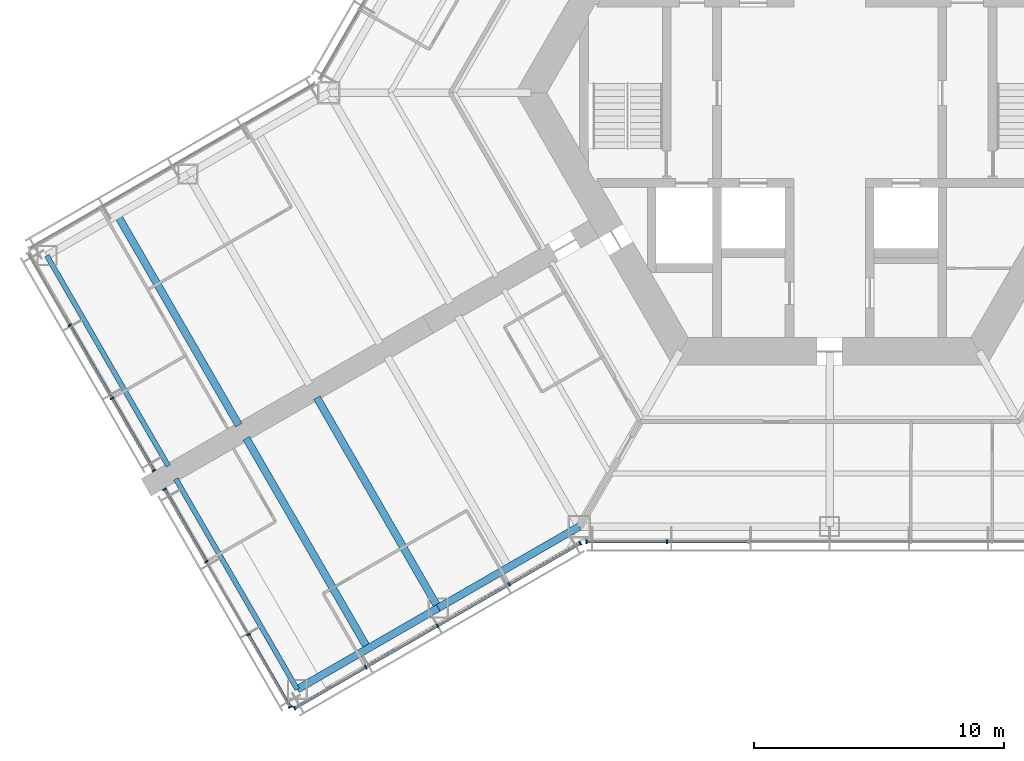
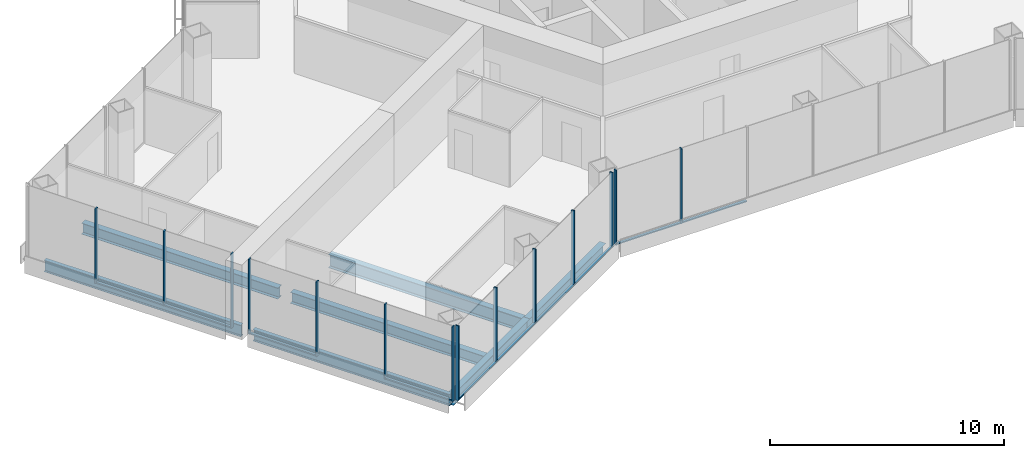
# One storey, part 2 of 18: 24 members, 7 beams, 4 elements without a shape of their own.
"""IFC4 building model written with IfcOpenShell, lengths in metres."""

import ifcopenshell
import ifcopenshell.guid

model = None  # the IFC model being written
_history = None  # IfcOwnerHistory: only IFC2X3 demands one
_inside = {}  # id of a spatial element -> (the spatial element, [elements in it])
_under = {}  # id of a project, library or spatial element -> (it, [spatial elements below it])
_declared = {}  # id of a project -> (the project, [libraries it declares])
_typed = {}  # id of a type object -> (the type object, [elements of that type])
_made_of = {}  # id of a material, layer set ... -> (it, [elements and type objects made of it])


def new_model(schema):
    """Start an empty IFC model of exactly this schema.

    Asked for "IFC4X3", IfcOpenShell would pick the latest addendum, in which some entities
    have other attributes; the version numbers below select the first issue.
    IFC2X3 requires an IfcOwnerHistory on every rooted entity: one is made here for all.
    """
    global model, _history
    if schema == "IFC4X3":
        model = ifcopenshell.file(schema_version=(4, 3, 0, 0))
    else:
        model = ifcopenshell.file(schema=schema)
    _inside.clear()
    _under.clear()
    _declared.clear()
    _typed.clear()
    _made_of.clear()
    _history = None
    if model.schema == "IFC2X3":
        org = make("IfcOrganization", Name="unknown")
        user = make(
            "IfcPersonAndOrganization",
            ThePerson=make("IfcPerson", FamilyName="unknown"),
            TheOrganization=org,
        )
        app = make(
            "IfcApplication",
            ApplicationDeveloper=org,
            Version="unknown",
            ApplicationFullName="unknown",
            ApplicationIdentifier="unknown",
        )
        _history = make(
            "IfcOwnerHistory",
            OwningUser=user,
            OwningApplication=app,
            ChangeAction="ADDED",
            CreationDate=0,
        )
    return model


def make(cls, **values):
    """One entity of the class cls with the attributes given. An attribute that is None is left unset."""
    return model.create_entity(
        cls, **{name: value for name, value in values.items() if value is not None}
    )


def rooted(cls, **values):
    """An entity with a GlobalId (a new one), such as an element, a storey or a relation."""
    return make(cls, GlobalId=ifcopenshell.guid.new(), OwnerHistory=_history, **values)


def si_unit(unit_type, name, prefix=None):
    """IfcSIUnit, for example si_unit("LENGTHUNIT", "METRE", prefix="MILLI")."""
    return make("IfcSIUnit", UnitType=unit_type, Prefix=prefix, Name=name)


def assignment(units):
    """IfcUnitAssignment: the units of a project."""
    return None if units is None else make("IfcUnitAssignment", Units=units)


def point(xyz):
    """IfcCartesianPoint."""
    return None if xyz is None else make("IfcCartesianPoint", Coordinates=xyz)


def direction(xyz):
    """IfcDirection."""
    return None if xyz is None else make("IfcDirection", DirectionRatios=xyz)


def frame(location, z_axis=None, x_axis=None):
    """IfcAxis2Placement3D, a coordinate frame: its origin and axes. An axis left out is left unset."""
    return make(
        "IfcAxis2Placement3D",
        Location=point(location),
        Axis=direction(z_axis),
        RefDirection=direction(x_axis),
    )


def frame_2d(location, x_axis=None):
    """IfcAxis2Placement2D, a coordinate frame in the plane: its origin and x axis."""
    return make(
        "IfcAxis2Placement2D", Location=point(location), RefDirection=direction(x_axis)
    )


def origin():
    """The frame at (0, 0, 0) with its axes left unset."""
    return frame((0.0, 0.0, 0.0))


def origin_2d():
    """The frame at (0, 0) in the plane with its x axis left unset."""
    return frame_2d((0.0, 0.0))


def place(relative_to, where):
    """IfcLocalPlacement: puts the frame where relative to a parent placement (None: the world)."""
    return make(
        "IfcLocalPlacement", PlacementRelTo=relative_to, RelativePlacement=where
    )


def context(
    kind, dimensions, precision=None, world=None, true_north=None, identifier=None
):
    """IfcGeometricRepresentationContext, for example the 3D "Model" context."""
    return make(
        "IfcGeometricRepresentationContext",
        ContextIdentifier=identifier,
        ContextType=kind,
        CoordinateSpaceDimension=dimensions,
        Precision=precision,
        WorldCoordinateSystem=world,
        TrueNorth=true_north,
    )


def subcontext(parent, identifier, kind, view, scale=None):
    """IfcGeometricRepresentationSubContext, for example "Body" below "Model"."""
    return make(
        "IfcGeometricRepresentationSubContext",
        ContextIdentifier=identifier,
        ContextType=kind,
        ParentContext=parent,
        TargetScale=scale,
        TargetView=view,
    )


def project(units=None, contexts=None):
    """IfcProject with its units and contexts."""
    return rooted(
        "IfcProject",
        Name="project",
        RepresentationContexts=contexts,
        UnitsInContext=assignment(units),
    )


def spatial(cls, under=None, at=None, **own):
    """A site, building, storey or space (cls), placed at a placement, below another one or the project."""
    s = rooted(cls, ObjectPlacement=at, **own)
    if under is not None:
        _under.setdefault(under.id(), (under, []))[1].append(s)
    return s


def profile(cls, at=None, kind="AREA", **sizes):
    """A parametric profile (cls). Its sizes go by their IFC names, for example OverallWidth=200.0."""
    return make(cls, ProfileType=kind, Position=at, **sizes)


def rectangle(**sizes):
    """IfcRectangleProfileDef."""
    return profile("IfcRectangleProfileDef", **sizes)


def i_section(**sizes):
    """IfcIShapeProfileDef."""
    return profile("IfcIShapeProfileDef", **sizes)


def extrude(swept, where, along, depth):
    """IfcExtrudedAreaSolid: the profile swept, set in the frame where, extruded along a direction by depth."""
    return make(
        "IfcExtrudedAreaSolid",
        SweptArea=swept,
        Position=where,
        ExtrudedDirection=direction(along),
        Depth=depth,
    )


def shape(context_of_items, identifier, shape_type, items):
    """IfcShapeRepresentation: the items that make up one representation, for example the "Body"."""
    return make(
        "IfcShapeRepresentation",
        ContextOfItems=context_of_items,
        RepresentationIdentifier=identifier,
        RepresentationType=shape_type,
        Items=items,
    )


def material(Name=None, Category=None):
    """IfcMaterial."""
    return make("IfcMaterial", Name=Name, Category=Category)


def material_profile(
    of_material, cross_section, Name=None, Category=None, Priority=None
):
    """IfcMaterialProfile: a cross section and its material."""
    return make(
        "IfcMaterialProfile",
        Name=Name,
        Material=of_material,
        Profile=cross_section,
        Priority=Priority,
        Category=Category,
    )


def profile_set(profiles, Name=None, composite=None):
    """IfcMaterialProfileSet."""
    return make(
        "IfcMaterialProfileSet",
        Name=Name,
        MaterialProfiles=profiles,
        CompositeProfile=composite,
    )


def made_of(thing, what):
    """Note that an element or type object is made of a material, layer set ...; save() writes the relation."""
    if what is not None:
        _made_of.setdefault(what.id(), (what, []))[1].append(thing)
    return thing


def type_object(cls, material=None, **own):
    """A type object (cls), such as IfcWallType, which elements share."""
    return made_of(rooted(cls, **own), material)


def element(
    cls,
    number,
    at=None,
    inside=None,
    cuts=None,
    type_object=None,
    material=None,
    context=None,
    identifier="Body",
    shape_type=None,
    held_by="IfcProductDefinitionShape",
    body=None,
    shapes=None,
    **own,
):
    """One element of the class cls, such as IfcWall. Its Tag is "e" and its number.

    at: its placement. inside: the storey or other place that contains it. cuts: it is an
    opening in that element (IfcRelVoidsElement). A single representation is given by context,
    identifier, shape_type and body (its items); several are given by shapes. held_by: the class
    of the entity that holds the representations. save() writes the other relations.
    """
    e = rooted(cls, Tag="e%d" % number, ObjectPlacement=at, **own)
    if body is not None:
        shapes = [shape(context, identifier, shape_type, body)]
    if shapes is not None:
        e.Representation = make(held_by, Representations=shapes)
    if inside is not None:
        _inside.setdefault(inside.id(), (inside, []))[1].append(e)
    if cuts is not None:
        rooted(
            "IfcRelVoidsElement", RelatingBuildingElement=cuts, RelatedOpeningElement=e
        )
    if type_object is not None:
        _typed.setdefault(type_object.id(), (type_object, []))[1].append(e)
    return made_of(e, material)


def aggregate(whole, parts):
    """IfcRelAggregates: a whole, such as a stair, and the parts it consists of."""
    return rooted("IfcRelAggregates", RelatingObject=whole, RelatedObjects=parts)


def save(model, path):
    """Write the relations noted so far, then the file.

    IfcRelAggregates (storeys below a building ...), IfcRelContainedInSpatialStructure (elements
    in a storey), IfcRelDefinesByType, IfcRelAssociatesMaterial and IfcRelDeclares: one each for
    every whole, place, type object, material and project.
    """
    for whole, parts in _under.values():
        aggregate(whole, parts)
    for where, things in _inside.values():
        rooted(
            "IfcRelContainedInSpatialStructure",
            RelatedElements=things,
            RelatingStructure=where,
        )
    for kind, things in _typed.values():
        rooted("IfcRelDefinesByType", RelatedObjects=things, RelatingType=kind)
    for what, things in _made_of.values():
        rooted("IfcRelAssociatesMaterial", RelatedObjects=things, RelatingMaterial=what)
    for by, libraries in _declared.values():
        rooted("IfcRelDeclares", RelatingContext=by, RelatedDefinitions=libraries)
    model.write(path)


model = new_model("IFC4")

# Units and contexts
model_context = context("Model", 3, precision=1e-05, world=origin(), true_north=direction((0.0, 1.0)))
body_context = subcontext(model_context, "Body", "Model", "MODEL_VIEW")
ifc_project = project(units=[si_unit("LENGTHUNIT", "METRE"), si_unit("AREAUNIT", "SQUARE_METRE"), si_unit("VOLUMEUNIT", "CUBIC_METRE"), si_unit("PLANEANGLEUNIT", "RADIAN"), si_unit("MASSUNIT", "GRAM", prefix="KILO")], contexts=[model_context])

# Site, building, storey
site_placement = place(None, origin())
site = spatial("IfcSite", under=ifc_project, at=site_placement, CompositionType="ELEMENT")
building_placement = place(site_placement, origin())
building = spatial("IfcBuilding", under=site, at=building_placement, Name="Kasaneha Research Tower", CompositionType="ELEMENT")
storey_placement = place(building_placement, frame((0.0, 0.0, 108.0)))
storey = spatial("IfcBuildingStorey", under=building, at=storey_placement, Name="L27", CompositionType="ELEMENT", Elevation=108.0)

# Beams
ifc_material_1 = material(Name="Steel SN490B", Category="steel")
ifc_material_profile_1 = material_profile(ifc_material_1, i_section(OverallWidth=0.300048828125, OverallDepth=0.58203125, WebThickness=0.011962890625, FlangeThickness=0.01708984375, FilletRadius=0.012939453125, at=origin_2d()), Name="H-582x300x12x17")
ifc_profile_set_1 = profile_set([ifc_material_profile_1], Name="Steel SN490B")
beam_type_1 = type_object("IfcBeamType", Name="B2-3 secondary beam H-582x300x12x17", PredefinedType="JOIST", material=ifc_profile_set_1)
for number, where, z_axis, x_axis, name in (
    (1, (-28.44384765625, -4.875, -0.44091796875), (0.500010041276, -0.866019606374, 0.0), (0.866019606374, 0.500010041276, 0.0), "Secondary beam WBBP2 L27"),
    (2, (-18.44384765625, -22.195556640625, -0.44091796875), (-0.499991164321, 0.866030505006, 0.0), (-0.866030505006, -0.499991164321, 0.0), "Secondary beam WBBN2 L27"),
):
    element("IfcBeam", number, at=place(storey_placement, frame(where, z_axis=z_axis, x_axis=x_axis)), inside=storey, type_object=beam_type_1, Name=name, PredefinedType="JOIST", context=body_context, shape_type="SweptSolid", body=[
        extrude(i_section(OverallWidth=0.300048828125, OverallDepth=0.58203125, WebThickness=0.011962890625, FlangeThickness=0.01708984375, FilletRadius=0.012939453125, at=origin_2d()), origin(), (0.0, 0.0, 1.0), 9.699951171875),
    ])

# Curtain wall, members
ifc_material_2 = material(Name="Glass and aluminium", Category="aluminium")
curtain_wall_type = type_object("IfcCurtainWallType", Name="Low-rise office curtain wall", PredefinedType="USERDEFINED", material=ifc_material_2)
curtain_wall_1_placement = place(storey_placement, origin())
curtain_wall_1 = element("IfcCurtainWall", 3, at=curtain_wall_1_placement, inside=storey, type_object=curtain_wall_type, Name="CW-O1 L27 run 01a", ObjectType="UNITISED CURTAIN WALL", PredefinedType="USERDEFINED")
ifc_material_3 = material(Name="Aluminium 6063-T6", Category="aluminium")
ifc_material_profile_2 = material_profile(ifc_material_3, rectangle(XDim=0.06005859375, YDim=0.159912109375, at=origin_2d()), Name="CW-O1 mullion 60x160")
ifc_profile_set_2 = profile_set([ifc_material_profile_2], Name="Aluminium 6063-T6")
member_type_1 = type_object("IfcMemberType", Name="CW-O1 mullion", PredefinedType="MULLION", material=ifc_profile_set_2)
member_1_placement = place(storey_placement, frame((-21.365478515625, -24.5751953125, 0.0), z_axis=(0.0, 0.0, 1.0), x_axis=(0.866025411464, 0.499999986699, 0.0)))
member_1 = element("IfcMember", 4, at=member_1_placement, type_object=member_type_1, Name="CW-O1 mullion 1", PredefinedType="MULLION", context=body_context, shape_type="SweptSolid", body=[
    extrude(rectangle(XDim=0.06005859375, YDim=0.159912109375, at=origin_2d()), origin(), (0.0, 0.0, 1.0), 3.89990234375),
])
member_2_placement = place(storey_placement, frame((-18.52490234375, -22.935302734375, 0.0), z_axis=(0.0, 0.0, 1.0), x_axis=(0.866025411464, 0.499999986699, 0.0)))
member_2 = element("IfcMember", 5, at=member_2_placement, type_object=member_type_1, Name="CW-O1 mullion 2", PredefinedType="MULLION", context=body_context, shape_type="SweptSolid", body=[
    extrude(rectangle(XDim=0.06005859375, YDim=0.159912109375, at=origin_2d()), origin(), (0.0, 0.0, 1.0), 3.89990234375),
])
member_3_placement = place(storey_placement, frame((-15.65869140625, -21.2802734375, 0.0), z_axis=(0.0, 0.0, 1.0), x_axis=(0.866025411464, 0.499999986699, 0.0)))
member_3 = element("IfcMember", 6, at=member_3_placement, type_object=member_type_1, Name="CW-O1 mullion 3", PredefinedType="MULLION", context=body_context, shape_type="SweptSolid", body=[
    extrude(rectangle(XDim=0.06005859375, YDim=0.159912109375, at=origin_2d()), origin(), (0.0, 0.0, 1.0), 3.89990234375),
])
member_4_placement = place(storey_placement, frame((-12.792236328125, -19.62548828125, 0.0), z_axis=(0.0, 0.0, 1.0), x_axis=(0.866025411464, 0.499999986699, 0.0)))
member_4 = element("IfcMember", 7, at=member_4_placement, type_object=member_type_1, Name="CW-O1 mullion 4", PredefinedType="MULLION", context=body_context, shape_type="SweptSolid", body=[
    extrude(rectangle(XDim=0.06005859375, YDim=0.159912109375, at=origin_2d()), origin(), (0.0, 0.0, 1.0), 3.89990234375),
])
member_5_placement = place(storey_placement, frame((-9.951904296875, -17.985595703125, 0.0), z_axis=(0.0, 0.0, 1.0), x_axis=(0.866025411464, 0.499999986699, 0.0)))
member_5 = element("IfcMember", 8, at=member_5_placement, type_object=member_type_1, Name="CW-O1 mullion 5", PredefinedType="MULLION", context=body_context, shape_type="SweptSolid", body=[
    extrude(rectangle(XDim=0.06005859375, YDim=0.159912109375, at=origin_2d()), origin(), (0.0, 0.0, 1.0), 3.89990234375),
])

curtain_wall_2_placement = place(storey_placement, origin())
curtain_wall_2 = element("IfcCurtainWall", 9, at=curtain_wall_2_placement, inside=storey, type_object=curtain_wall_type, Name="CW-O1 L27 run 02a", ObjectType="UNITISED CURTAIN WALL", PredefinedType="USERDEFINED")
member_6_placement = place(storey_placement, frame((-9.709228515625, -17.92041015625, 0.0), z_axis=(0.0, 0.0, 1.0), x_axis=(1.0, 0.0, 0.0)))
member_6 = element("IfcMember", 10, at=member_6_placement, type_object=member_type_1, Name="CW-O1 mullion 1", PredefinedType="MULLION", context=body_context, shape_type="SweptSolid", body=[
    extrude(rectangle(XDim=0.06005859375, YDim=0.159912109375, at=origin_2d()), origin(), (0.0, 0.0, 1.0), 3.89990234375),
])
member_7_placement = place(storey_placement, frame((-6.492919921875, -17.92041015625, 0.0), z_axis=(0.0, 0.0, 1.0), x_axis=(1.0, 0.0, 0.0)))
member_7 = element("IfcMember", 11, at=member_7_placement, type_object=member_type_1, Name="CW-O1 mullion 2", PredefinedType="MULLION", context=body_context, shape_type="SweptSolid", body=[
    extrude(rectangle(XDim=0.06005859375, YDim=0.159912109375, at=origin_2d()), origin(), (0.0, 0.0, 1.0), 3.89990234375),
])

curtain_wall_3_placement = place(storey_placement, origin())
curtain_wall_3 = element("IfcCurtainWall", 12, at=curtain_wall_3_placement, inside=storey, type_object=curtain_wall_type, Name="CW-O1 L27 run 14a", ObjectType="UNITISED CURTAIN WALL", PredefinedType="USERDEFINED")
member_8_placement = place(storey_placement, frame((-30.3447265625, -9.28271484375, 0.0), z_axis=(0.0, 0.0, 1.0), x_axis=(0.500000011442, -0.866025397178, 0.0)))
member_8 = element("IfcMember", 13, at=member_8_placement, type_object=member_type_1, Name="CW-O1 mullion 2", PredefinedType="MULLION", context=body_context, shape_type="SweptSolid", body=[
    extrude(rectangle(XDim=0.06005859375, YDim=0.159912109375, at=origin_2d()), origin(), (0.0, 0.0, 1.0), 3.89990234375),
])
member_9_placement = place(storey_placement, frame((-28.661376953125, -12.1982421875, 0.0), z_axis=(0.0, 0.0, 1.0), x_axis=(0.500000011442, -0.866025397178, 0.0)))
member_9 = element("IfcMember", 14, at=member_9_placement, type_object=member_type_1, Name="CW-O1 mullion 3", PredefinedType="MULLION", context=body_context, shape_type="SweptSolid", body=[
    extrude(rectangle(XDim=0.06005859375, YDim=0.159912109375, at=origin_2d()), origin(), (0.0, 0.0, 1.0), 3.89990234375),
])
member_10_placement = place(storey_placement, frame((-26.992919921875, -15.087890625, 0.0), z_axis=(0.0, 0.0, 1.0), x_axis=(0.500000011442, -0.866025397178, 0.0)))
member_10 = element("IfcMember", 15, at=member_10_placement, type_object=member_type_1, Name="CW-O1 mullion 4", PredefinedType="MULLION", context=body_context, shape_type="SweptSolid", body=[
    extrude(rectangle(XDim=0.06005859375, YDim=0.159912109375, at=origin_2d()), origin(), (0.0, 0.0, 1.0), 3.89990234375),
])

curtain_wall_4_placement = place(storey_placement, origin())
curtain_wall_4 = element("IfcCurtainWall", 16, at=curtain_wall_4_placement, inside=storey, type_object=curtain_wall_type, Name="CW-O1 L27 run 15a", ObjectType="UNITISED CURTAIN WALL", PredefinedType="USERDEFINED")
member_11_placement = place(storey_placement, frame((-26.56298828125, -15.832763671875, 0.0), z_axis=(0.0, 0.0, 1.0), x_axis=(0.500000011442, -0.866025397178, 0.0)))
member_11 = element("IfcMember", 17, at=member_11_placement, type_object=member_type_1, Name="CW-O1 mullion 1", PredefinedType="MULLION", context=body_context, shape_type="SweptSolid", body=[
    extrude(rectangle(XDim=0.06005859375, YDim=0.159912109375, at=origin_2d()), origin(), (0.0, 0.0, 1.0), 3.89990234375),
])
member_12_placement = place(storey_placement, frame((-24.89453125, -18.72216796875, 0.0), z_axis=(0.0, 0.0, 1.0), x_axis=(0.500000011442, -0.866025397178, 0.0)))
member_12 = element("IfcMember", 18, at=member_12_placement, type_object=member_type_1, Name="CW-O1 mullion 2", PredefinedType="MULLION", context=body_context, shape_type="SweptSolid", body=[
    extrude(rectangle(XDim=0.06005859375, YDim=0.159912109375, at=origin_2d()), origin(), (0.0, 0.0, 1.0), 3.89990234375),
])
member_13_placement = place(storey_placement, frame((-23.211181640625, -21.637939453125, 0.0), z_axis=(0.0, 0.0, 1.0), x_axis=(0.500000011442, -0.866025397178, 0.0)))
member_13 = element("IfcMember", 19, at=member_13_placement, type_object=member_type_1, Name="CW-O1 mullion 3", PredefinedType="MULLION", context=body_context, shape_type="SweptSolid", body=[
    extrude(rectangle(XDim=0.06005859375, YDim=0.159912109375, at=origin_2d()), origin(), (0.0, 0.0, 1.0), 3.89990234375),
])
member_14_placement = place(storey_placement, frame((-21.54296875, -24.527587890625, 0.0), z_axis=(0.0, 0.0, 1.0), x_axis=(0.500000011442, -0.866025397178, 0.0)))
member_14 = element("IfcMember", 20, at=member_14_placement, type_object=member_type_1, Name="CW-O1 mullion 4", PredefinedType="MULLION", context=body_context, shape_type="SweptSolid", body=[
    extrude(rectangle(XDim=0.06005859375, YDim=0.159912109375, at=origin_2d()), origin(), (0.0, 0.0, 1.0), 3.89990234375),
])

# Member
ifc_material_4 = material(Name="Aluminium 6063-T6", Category="aluminium")
ifc_material_profile_3 = material_profile(ifc_material_4, rectangle(XDim=0.1201171875, YDim=0.06005859375, at=origin_2d()), Name="CW-O1 transom 120x60")
ifc_profile_set_3 = profile_set([ifc_material_profile_3], Name="Aluminium 6063-T6")
member_type_2 = type_object("IfcMemberType", Name="CW-O1 transom", PredefinedType="USERDEFINED", material=ifc_profile_set_3)
member_15_placement = place(storey_placement, frame((-21.33935546875, -24.56005859375, 0.030029296875), z_axis=(0.866022692473, 0.500004696101, 0.0), x_axis=(-0.500004696101, 0.866022692473, 0.0)))
member_15 = element("IfcMember", 21, at=member_15_placement, type_object=member_type_2, Name="CW-O1 transom 1", ObjectType="TRANSOM", PredefinedType="USERDEFINED", context=body_context, shape_type="SweptSolid", body=[
    extrude(rectangle(XDim=0.1201171875, YDim=0.06005859375, at=origin_2d()), origin(), (0.0, 0.0, 1.0), 3.2197265625),
])

member_16_placement = place(storey_placement, frame((-18.4990234375, -22.920166015625, 0.030029296875), z_axis=(0.86604797581, 0.499960902066, 0.0), x_axis=(-0.499960902066, 0.86604797581, 0.0)))
member_16 = element("IfcMember", 22, at=member_16_placement, type_object=member_type_2, Name="CW-O1 transom 2", ObjectType="TRANSOM", PredefinedType="USERDEFINED", context=body_context, shape_type="SweptSolid", body=[
    extrude(rectangle(XDim=0.1201171875, YDim=0.06005859375, at=origin_2d()), origin(), (0.0, 0.0, 1.0), 3.249755859375),
])

member_17_placement = place(storey_placement, frame((-15.632568359375, -21.265380859375, 0.030029296875), z_axis=(0.866015446554, 0.500017246033, 0.0), x_axis=(-0.500017246033, 0.866015446554, 0.0)))
member_17 = element("IfcMember", 23, at=member_17_placement, type_object=member_type_2, Name="CW-O1 transom 3", ObjectType="TRANSOM", PredefinedType="USERDEFINED", context=body_context, shape_type="SweptSolid", body=[
    extrude(rectangle(XDim=0.1201171875, YDim=0.06005859375, at=origin_2d()), origin(), (0.0, 0.0, 1.0), 3.25),
])

member_18_placement = place(storey_placement, frame((-12.76611328125, -19.6103515625, 0.030029296875), z_axis=(0.866022692473, 0.500004696101, 0.0), x_axis=(-0.500004696101, 0.866022692473, 0.0)))
member_18 = element("IfcMember", 24, at=member_18_placement, type_object=member_type_2, Name="CW-O1 transom 4", ObjectType="TRANSOM", PredefinedType="USERDEFINED", context=body_context, shape_type="SweptSolid", body=[
    extrude(rectangle(XDim=0.1201171875, YDim=0.06005859375, at=origin_2d()), origin(), (0.0, 0.0, 1.0), 3.2197265625),
])

aggregate(curtain_wall_1, [member_1, member_2, member_3, member_4, member_5, member_15, member_16, member_17, member_18])

member_19_placement = place(storey_placement, frame((-9.67919921875, -17.92041015625, 0.030029296875), z_axis=(1.0, 0.0, 0.0), x_axis=(0.0, 1.0, 0.0)))
member_19 = element("IfcMember", 25, at=member_19_placement, type_object=member_type_2, Name="CW-O1 transom 1", ObjectType="TRANSOM", PredefinedType="USERDEFINED", context=body_context, shape_type="SweptSolid", body=[
    extrude(rectangle(XDim=0.1201171875, YDim=0.06005859375, at=origin_2d()), origin(), (0.0, 0.0, 1.0), 3.156494140625),
])

member_20_placement = place(storey_placement, frame((-6.462890625, -17.92041015625, 0.030029296875), z_axis=(1.0, 0.0, 0.0), x_axis=(0.0, 1.0, 0.0)))
member_20 = element("IfcMember", 26, at=member_20_placement, type_object=member_type_2, Name="CW-O1 transom 2", ObjectType="TRANSOM", PredefinedType="USERDEFINED", context=body_context, shape_type="SweptSolid", body=[
    extrude(rectangle(XDim=0.1201171875, YDim=0.06005859375, at=origin_2d()), origin(), (0.0, 0.0, 1.0), 3.1865234375),
])

aggregate(curtain_wall_2, [member_6, member_7, member_19, member_20])

member_21_placement = place(storey_placement, frame((-30.32958984375, -9.30859375, 0.030029296875), z_axis=(0.499982354831, -0.866035590988, 0.0), x_axis=(0.866035590988, 0.499982354831, 0.0)))
member_21 = element("IfcMember", 27, at=member_21_placement, type_object=member_type_2, Name="CW-O1 transom 2", ObjectType="TRANSOM", PredefinedType="USERDEFINED", context=body_context, shape_type="SweptSolid", body=[
    extrude(rectangle(XDim=0.1201171875, YDim=0.06005859375, at=origin_2d()), origin(), (0.0, 0.0, 1.0), 3.306640625),
])

member_22_placement = place(storey_placement, frame((-28.646240234375, -12.22412109375, 0.030029296875), z_axis=(0.499969700927, -0.866042896256, 0.0), x_axis=(0.866042896256, 0.499969700927, 0.0)))
member_22 = element("IfcMember", 28, at=member_22_placement, type_object=member_type_2, Name="CW-O1 transom 3", ObjectType="TRANSOM", PredefinedType="USERDEFINED", context=body_context, shape_type="SweptSolid", body=[
    extrude(rectangle(XDim=0.1201171875, YDim=0.06005859375, at=origin_2d()), origin(), (0.0, 0.0, 1.0), 3.276611328125),
])

aggregate(curtain_wall_3, [member_8, member_9, member_10, member_21, member_22])

member_23_placement = place(storey_placement, frame((-26.5478515625, -15.858642578125, 0.030029296875), z_axis=(0.499969700927, -0.866042896256, 0.0), x_axis=(0.866042896256, 0.499969700927, 0.0)))
member_23 = element("IfcMember", 29, at=member_23_placement, type_object=member_type_2, Name="CW-O1 transom 1", ObjectType="TRANSOM", PredefinedType="USERDEFINED", context=body_context, shape_type="SweptSolid", body=[
    extrude(rectangle(XDim=0.1201171875, YDim=0.06005859375, at=origin_2d()), origin(), (0.0, 0.0, 1.0), 3.276611328125),
])

member_24_placement = place(storey_placement, frame((-23.1962890625, -21.663818359375, 0.030029296875), z_axis=(0.500025583411, -0.866010632691, 0.0), x_axis=(0.866010632691, 0.500025583411, 0.0)))
member_24 = element("IfcMember", 30, at=member_24_placement, type_object=member_type_2, Name="CW-O1 transom 3", ObjectType="TRANSOM", PredefinedType="USERDEFINED", context=body_context, shape_type="SweptSolid", body=[
    extrude(rectangle(XDim=0.1201171875, YDim=0.06005859375, at=origin_2d()), origin(), (0.0, 0.0, 1.0), 3.276611328125),
])

aggregate(curtain_wall_4, [member_11, member_12, member_13, member_14, member_23, member_24])

# Beams
ifc_material_5 = material(Name="Steel SN490B", Category="steel")
ifc_material_profile_4 = material_profile(ifc_material_5, i_section(OverallWidth=0.300048828125, OverallDepth=0.699951171875, WebThickness=0.012939453125, FlangeThickness=0.02392578125, FilletRadius=0.01806640625, at=origin_2d()), Name="H-700x300x13x24")
ifc_profile_set_4 = profile_set([ifc_material_profile_4], Name="Steel SN490B")
beam_type_2 = type_object("IfcBeamType", Name="G4-3 wing girder H-700x300x13x24", PredefinedType="BEAM", material=ifc_profile_set_4)
beam_placement = place(storey_placement, frame((-15.629150390625, -20.570556640625, -0.5), z_axis=(-0.500010041276, 0.866019606374, 0.0), x_axis=(-0.866019606374, -0.500010041276, 0.0)))
element("IfcBeam", 31, at=beam_placement, inside=storey, type_object=beam_type_2, Name="Wing girder WGBN L27", PredefinedType="BEAM", context=body_context, shape_type="SweptSolid", body=[
    extrude(i_section(OverallWidth=0.300048828125, OverallDepth=0.699951171875, WebThickness=0.012939453125, FlangeThickness=0.02392578125, FilletRadius=0.01806640625, at=origin_2d()), origin(), (0.0, 0.0, 1.0), 9.699951171875),
])
ifc_material_6 = material(Name="Steel SN490B", Category="steel")
ifc_material_profile_5 = material_profile(ifc_material_6, i_section(OverallWidth=0.300048828125, OverallDepth=0.58203125, WebThickness=0.011962890625, FlangeThickness=0.01708984375, FilletRadius=0.012939453125, at=origin_2d()), Name="H-582x300x12x17")
ifc_profile_set_5 = profile_set([ifc_material_profile_5], Name="Steel SN490B")
beam_type_3 = type_object("IfcBeamType", Name="SB2-3 spandrel beam H-582x300x12x17", PredefinedType="SPANDREL", material=ifc_profile_set_5)
for number, where, z_axis, x_axis, name in (
    (32, (-10.0, -17.320556640625, -0.44091796875), (-0.866024837091, -0.50000098154, 0.0), (0.50000098154, -0.866024837091, 0.0), "Spandrel beam WSBN1 L27"),
    (33, (-15.629150390625, -20.570556640625, -0.44091796875), (-0.866024837091, -0.50000098154, 0.0), (0.50000098154, -0.866024837091, 0.0), "Spandrel beam WSBN2 L27"),
):
    element("IfcBeam", number, at=place(storey_placement, frame(where, z_axis=z_axis, x_axis=x_axis)), inside=storey, type_object=beam_type_3, Name=name, PredefinedType="SPANDREL", context=body_context, shape_type="SweptSolid", body=[
        extrude(i_section(OverallWidth=0.300048828125, OverallDepth=0.58203125, WebThickness=0.011962890625, FlangeThickness=0.01708984375, FilletRadius=0.012939453125, at=origin_2d()), origin(), (0.0, 0.0, 1.0), 6.5),
    ])
ifc_material_7 = material(Name="Steel SN490B", Category="steel")
ifc_material_profile_6 = material_profile(ifc_material_7, i_section(OverallWidth=0.199951171875, OverallDepth=0.60009765625, WebThickness=0.010986328125, FlangeThickness=0.01708984375, FilletRadius=0.012939453125, at=origin_2d()), Name="H-600x200x11x17")
ifc_profile_set_6 = profile_set([ifc_material_profile_6], Name="Steel SN490B")
beam_type_4 = type_object("IfcBeamType", Name="SB3-3 spandrel beam H-600x200x11x17", PredefinedType="SPANDREL", material=ifc_profile_set_6)
for number, where, z_axis, x_axis, name in (
    (34, (-31.25830078125, -6.5, -0.449951171875), (0.499991164321, -0.866030505006, 0.0), (0.866030505006, 0.499991164321, 0.0), "Spandrel beam WTBP L27"),
    (35, (-21.25830078125, -23.820556640625, -0.449951171875), (-0.500010041276, 0.866019606374, 0.0), (-0.866019606374, -0.500010041276, 0.0), "Spandrel beam WTBN L27"),
):
    element("IfcBeam", number, at=place(storey_placement, frame(where, z_axis=z_axis, x_axis=x_axis)), inside=storey, type_object=beam_type_4, Name=name, PredefinedType="SPANDREL", context=body_context, shape_type="SweptSolid", body=[
        extrude(i_section(OverallWidth=0.199951171875, OverallDepth=0.60009765625, WebThickness=0.010986328125, FlangeThickness=0.01708984375, FilletRadius=0.012939453125, at=origin_2d()), origin(), (0.0, 0.0, 1.0), 9.699951171875),
    ])

save(model, "model.ifc")
